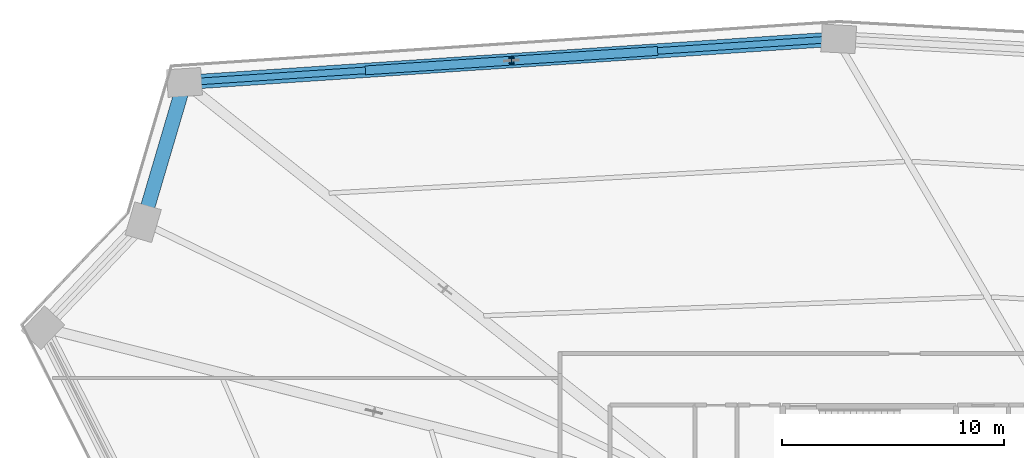
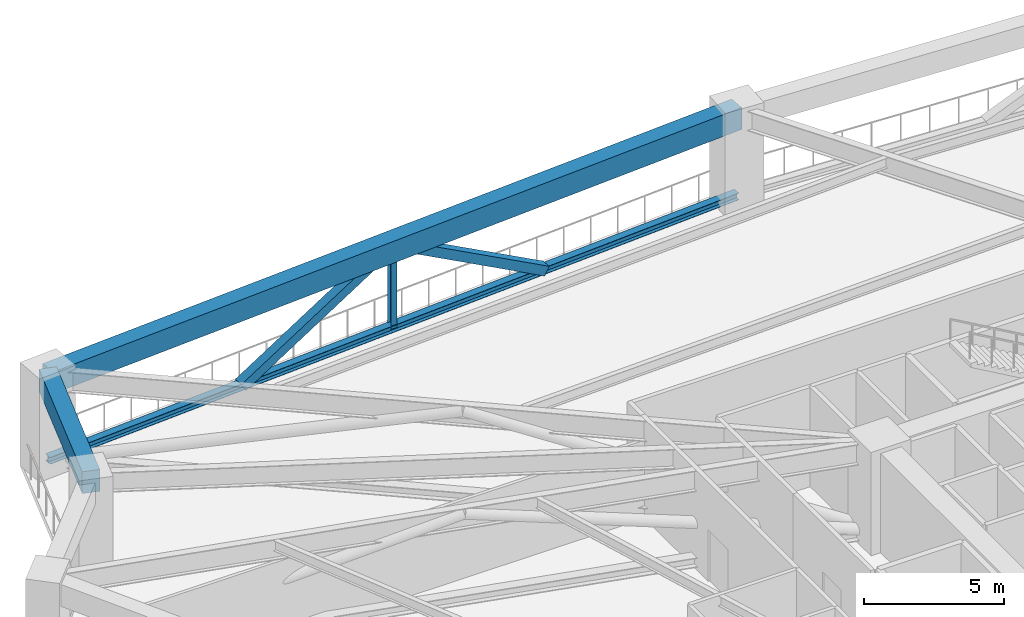
# One storey, part 9 of 25: 4 members, 2 beams.
"""IFC4 building model written with IfcOpenShell, lengths in metres."""

from ifc_helpers import new_model, si_unit, direction, frame, origin, origin_2d, place, context, subcontext, project, spatial, rectangle, hollow_rectangle, i_section, extrude, source, transform, mapped, material, material_profile, profile_set, type_object, element, save


model = new_model("IFC4")

# Units and contexts
model_context = context("Model", 3, precision=1e-05, world=origin(), true_north=direction((0.0, 1.0)))
body_context = subcontext(model_context, "Body", "Model", "MODEL_VIEW")
ifc_project = project(units=[si_unit("LENGTHUNIT", "METRE"), si_unit("AREAUNIT", "SQUARE_METRE"), si_unit("VOLUMEUNIT", "CUBIC_METRE"), si_unit("PLANEANGLEUNIT", "RADIAN"), si_unit("MASSUNIT", "GRAM", prefix="KILO")], contexts=[model_context])

# Site, building, storey
site_placement = place(None, origin())
site = spatial("IfcSite", under=ifc_project, at=site_placement, CompositionType="ELEMENT")
building_placement = place(site_placement, origin())
building = spatial("IfcBuilding", under=site, at=building_placement, Name="Liaohun Quay Tower", CompositionType="ELEMENT")
storey_placement = place(building_placement, frame((0.0, 0.0, 47.25)))
storey = spatial("IfcBuildingStorey", under=building, at=storey_placement, Name="L12", CompositionType="ELEMENT", Elevation=47.25)

# Beams
ifc_material_1 = material(Name="Precast concrete C55", Category="concrete")
ifc_material_profile_1 = material_profile(ifc_material_1, rectangle(XDim=0.64990234375, YDim=0.949951171875, at=origin_2d()), Name="RC650x950")
ifc_profile_set_1 = profile_set([ifc_material_profile_1], Name="Precast concrete C55")
beam_type = type_object("IfcBeamType", Name="BM-SPD-Z1", PredefinedType="SPANDREL", material=ifc_profile_set_1)
shared_shape_1 = source(origin(), body_context, "Body", "SweptSolid", [
    extrude(rectangle(XDim=0.64990234375, YDim=0.949951171875, at=origin_2d()), origin(), (0.0, 0.0, 1.0), 6.57666015625),
])
beam_1_placement = place(storey_placement, frame((25.639892578125, 73.837890625, 3.844970703125), z_axis=(0.282835522447, 0.959168424857, 0.0), x_axis=(-0.959168424857, 0.282835522447, 0.0)))
element("IfcBeam", 1, at=beam_1_placement, inside=storey, type_object=beam_type, Name="L12 Precast Spandrel Beam PC04-PC05", PredefinedType="SPANDREL", context=body_context, shape_type="MappedRepresentation", body=[
    mapped(shared_shape_1, transform((0.0, 0.0, 0.0), x_axis=(1.0, 0.0, 0.0), y_axis=(0.0, 1.0, 0.0), z_axis=(0.0, 0.0, 1.0), scale=1.0)),
])
shared_shape_2 = source(origin(), body_context, "Body", "SweptSolid", [
    extrude(rectangle(XDim=0.64990234375, YDim=0.949951171875, at=origin_2d()), origin(), (0.0, 0.0, 1.0), 29.58740234375),
])
beam_2_placement = place(storey_placement, frame((27.5, 80.14599609375, 3.844970703125), z_axis=(0.997791980197, 0.066416596224, 0.0), x_axis=(-0.066416596224, 0.997791980197, 0.0)))
element("IfcBeam", 2, at=beam_2_placement, inside=storey, type_object=beam_type, Name="L12 Precast Spandrel Beam PC05-PC06", PredefinedType="SPANDREL", context=body_context, shape_type="MappedRepresentation", body=[
    mapped(shared_shape_2, transform((0.0, 0.0, 0.0), x_axis=(1.0, 0.0, 0.0), y_axis=(0.0, 1.0, 0.0), z_axis=(0.0, 0.0, 1.0), scale=1.0)),
])

# Members
ifc_material_2 = material(Name="Steel Q355D", Category="steel")
ifc_material_profile_2 = material_profile(ifc_material_2, i_section(OverallWidth=0.25, OverallDepth=0.25, WebThickness=0.009033203125, FlangeThickness=0.013916015625, at=origin_2d()), Name="HW250x250x9x14")
ifc_profile_set_2 = profile_set([ifc_material_profile_2], Name="Steel Q355D")
member_type_1 = type_object("IfcMemberType", Name="MEM-BLT-PST", PredefinedType="POST", material=ifc_profile_set_2)
shared_shape_3 = source(origin(), body_context, "Body", "SweptSolid", [
    extrude(i_section(OverallWidth=0.25, OverallDepth=0.25, WebThickness=0.009033203125, FlangeThickness=0.013916015625, at=origin_2d()), origin(), (0.0, 0.0, 1.0), 3.669921875),
])
member_1_placement = place(storey_placement, frame((42.260986328125, 81.12890625, 0.35009765625), z_axis=(0.0, 0.0, 1.0), x_axis=(1.0, 0.0, 0.0)))
element("IfcMember", 3, at=member_1_placement, inside=storey, type_object=member_type_1, Name="L12 Belt Truss Vertical Post BP-1-03", PredefinedType="POST", context=body_context, shape_type="MappedRepresentation", body=[
    mapped(shared_shape_3, transform((0.0, 0.0, 0.0), x_axis=(1.0, 0.0, 0.0), y_axis=(0.0, 1.0, 0.0), z_axis=(0.0, 0.0, 1.0), scale=1.0)),
])
ifc_material_profile_3 = material_profile(ifc_material_2, i_section(OverallWidth=0.300048828125, OverallDepth=0.300048828125, WebThickness=0.010009765625, FlangeThickness=0.014892578125, at=origin_2d()), Name="HW300x300x10x15")
ifc_profile_set_3 = profile_set([ifc_material_profile_3], Name="Steel Q355D")
member_type_2 = type_object("IfcMemberType", Name="MEM-BLT-CHD", PredefinedType="CHORD", material=ifc_profile_set_3)
shared_shape_4 = source(origin(), body_context, "Body", "SweptSolid", [
    extrude(i_section(OverallWidth=0.300048828125, OverallDepth=0.300048828125, WebThickness=0.010009765625, FlangeThickness=0.014892578125, at=origin_2d()), origin(), (0.0, 0.0, 1.0), 29.58740234375),
])
member_2_placement = place(storey_placement, frame((27.5, 80.14599609375, 0.35009765625), z_axis=(0.997791980197, 0.066416596224, 0.0), x_axis=(-0.066416596224, 0.997791980197, 0.0)))
element("IfcMember", 4, at=member_2_placement, inside=storey, type_object=member_type_2, Name="L12 Belt Truss Bottom Chord BC-1-03", PredefinedType="CHORD", context=body_context, shape_type="MappedRepresentation", body=[
    mapped(shared_shape_4, transform((0.0, 0.0, 0.0), x_axis=(1.0, 0.0, 0.0), y_axis=(0.0, 1.0, 0.0), z_axis=(0.0, 0.0, 1.0), scale=1.0)),
])
ifc_material_3 = material(Name="Steel Q420D", Category="steel")
ifc_material_profile_4 = material_profile(ifc_material_3, hollow_rectangle(XDim=0.39990234375, YDim=0.39990234375, WallThickness=0.02001953125, at=origin_2d()), Name="SHS400x400x20")
ifc_profile_set_4 = profile_set([ifc_material_profile_4], Name="Steel Q420D")
member_type_3 = type_object("IfcMemberType", Name="MEM-BLT-DG1", PredefinedType="BRACE", material=ifc_profile_set_4)
shared_shape_5 = source(origin(), body_context, "Body", "SweptSolid", [
    extrude(hollow_rectangle(XDim=0.39990234375, YDim=0.39990234375, WallThickness=0.02001953125, at=origin_2d()), origin(), (0.0, 0.0, 1.0), 7.47265625),
])
for number, where, z_axis, x_axis, name in (
    (5, (35.76611328125, 80.696044921875, 0.35009765625), (0.869163685564, 0.057926820829, 0.491120118836), (-0.066499095533, 0.997786485323, 0.0), "L12 Belt Truss Diagonal BD-03A"),
    (6, (42.260986328125, 81.12890625, 4.02001953125), (0.869176605697, 0.057827491809, -0.491108958684), (-0.066384587851, 0.997794110273, 0.0), "L12 Belt Truss Diagonal BD-03B"),
):
    element("IfcMember", number, at=place(storey_placement, frame(where, z_axis=z_axis, x_axis=x_axis)), inside=storey, type_object=member_type_3, Name=name, PredefinedType="BRACE", context=body_context, shape_type="MappedRepresentation", body=[
        mapped(shared_shape_5, transform((0.0, 0.0, 0.0), x_axis=(1.0, 0.0, 0.0), y_axis=(0.0, 1.0, 0.0), z_axis=(0.0, 0.0, 1.0), scale=1.0)),
    ])

save(model, "model.ifc")
